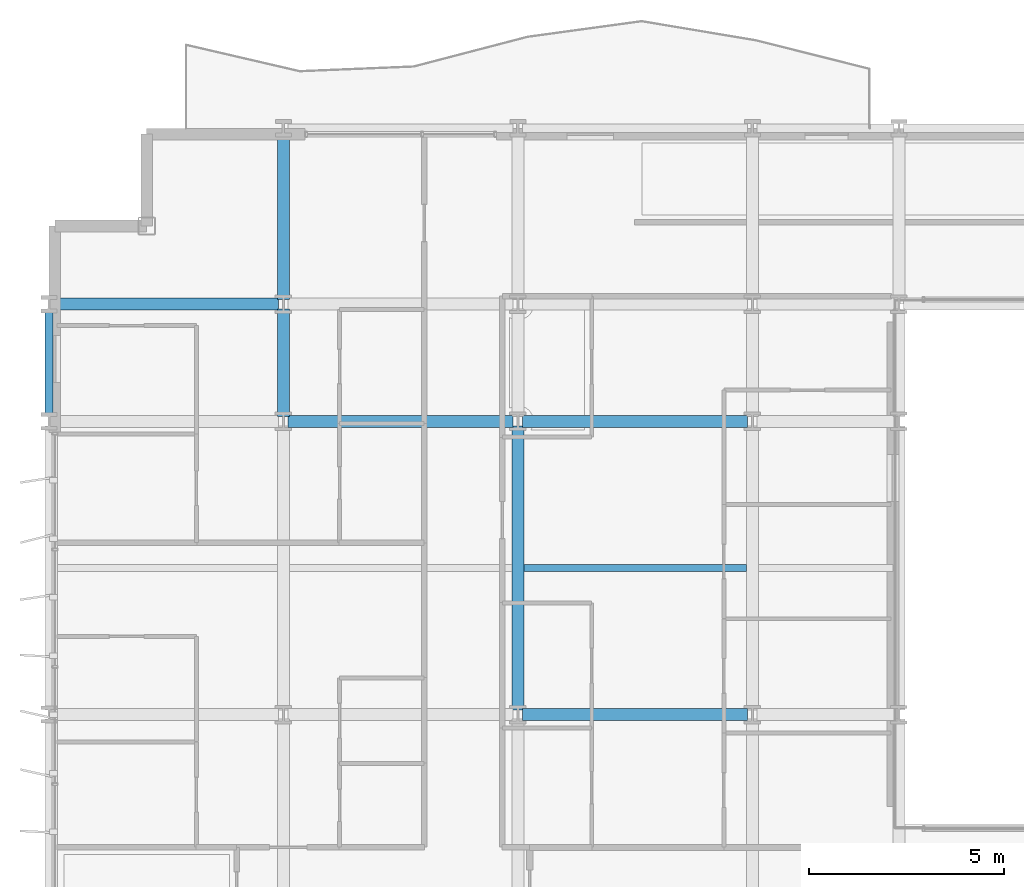
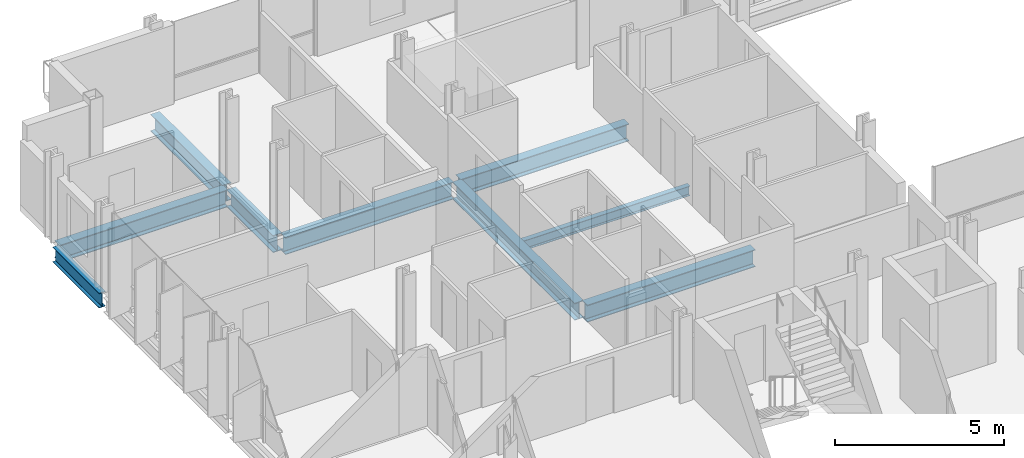
# One storey, part 6 of 38: 9 beams.
"""IFC4 building model written with IfcOpenShell, lengths in metres."""

from ifc_helpers import new_model, si_unit, direction, frame, origin, origin_2d, place, context, subcontext, project, spatial, i_section, extrude, material, material_profile, profile_set, type_object, element, save


model = new_model("IFC4")

# Units and contexts
model_context = context("Model", 3, precision=1e-05, world=origin(), true_north=direction((0.0, 1.0)))
body_context = subcontext(model_context, "Body", "Model", "MODEL_VIEW")
ifc_project = project(units=[si_unit("LENGTHUNIT", "METRE"), si_unit("AREAUNIT", "SQUARE_METRE"), si_unit("VOLUMEUNIT", "CUBIC_METRE"), si_unit("PLANEANGLEUNIT", "RADIAN"), si_unit("MASSUNIT", "GRAM", prefix="KILO")], contexts=[model_context])

# Site, building, storey
site_placement = place(None, origin())
site = spatial("IfcSite", under=ifc_project, at=site_placement, CompositionType="ELEMENT")
building_placement = place(site_placement, origin())
building = spatial("IfcBuilding", under=site, at=building_placement, Name="Brevholm Reach", CompositionType="ELEMENT")
storey_placement = place(building_placement, frame((0.0, 0.0, 59.0)))
storey = spatial("IfcBuildingStorey", under=building, at=storey_placement, Name="L16", CompositionType="ELEMENT", Elevation=59.0)

# Beams
ifc_material_1 = material(Name="Structural Steel S355J2", Category="steel")
ifc_material_profile_1 = material_profile(ifc_material_1, i_section(OverallWidth=0.17138671875, OverallDepth=0.35498046875, WebThickness=0.00732421875, FlangeThickness=0.011474609375, FilletRadius=0.01025390625, at=origin_2d()), Name="UKB 356x171x51")
ifc_profile_set_1 = profile_set([ifc_material_profile_1], Name="Structural Steel S355J2")
beam_type_1 = type_object("IfcBeamType", Name="BM-B356", PredefinedType="BEAM", material=ifc_profile_set_1)
beam_1_placement = place(storey_placement, frame((12.153564453125, 19.75, -0.407470703125), z_axis=(1.0, 0.0, 0.0), x_axis=(0.0, 1.0, 0.0)))
element("IfcBeam", 1, at=beam_1_placement, inside=storey, type_object=beam_type_1, Name="L16 Composite Secondary Floor Beam", PredefinedType="BEAM", context=body_context, shape_type="SweptSolid", body=[
    extrude(i_section(OverallWidth=0.17138671875, OverallDepth=0.35498046875, WebThickness=0.00732421875, FlangeThickness=0.011474609375, FilletRadius=0.01025390625, at=origin_2d()), origin(), (0.0, 0.0, 1.0), 5.69287109375),
])
ifc_material_2 = material(Name="Structural Steel S355J2", Category="steel")
ifc_material_profile_2 = material_profile(ifc_material_2, i_section(OverallWidth=0.210693359375, OverallDepth=0.53955078125, WebThickness=0.01171875, FlangeThickness=0.018798828125, FilletRadius=0.0126953125, at=origin_2d()), Name="UKB 533x210x109")
ifc_profile_set_2 = profile_set([ifc_material_profile_2], Name="Structural Steel S355J2")
beam_type_2 = type_object("IfcBeamType", Name="BM-SP539", PredefinedType="SPANDREL", material=ifc_profile_set_2)
beam_2_placement = place(storey_placement, frame((0.0, 23.6201171875, -0.499755859375), z_axis=(0.0, 1.0, 0.0), x_axis=(-1.0, 0.0, 0.0)))
element("IfcBeam", 2, at=beam_2_placement, inside=storey, type_object=beam_type_2, Name="L16 SP-01B Framing Beam", PredefinedType="SPANDREL", context=body_context, shape_type="SweptSolid", body=[
    extrude(i_section(OverallWidth=0.210693359375, OverallDepth=0.53955078125, WebThickness=0.01171875, FlangeThickness=0.018798828125, FilletRadius=0.0126953125, at=origin_2d()), origin(), (0.0, 0.0, 1.0), 2.759765625),
])
ifc_material_3 = material(Name="Structural Steel S355J2", Category="steel")
ifc_material_profile_3 = material_profile(ifc_material_3, i_section(OverallWidth=0.30712890625, OverallDepth=0.6201171875, WebThickness=0.01416015625, FlangeThickness=0.023681640625, FilletRadius=0.0166015625, at=origin_2d()), Name="UKB 610x305x179")
ifc_profile_set_3 = profile_set([ifc_material_profile_3], Name="Structural Steel S355J2")
beam_type_3 = type_object("IfcBeamType", Name="BM-UKB610H", PredefinedType="USERDEFINED", material=ifc_profile_set_3)
for number, where, z_axis, x_axis, name in (
    (3, (12.1201171875, 16.0, -0.5400390625), (1.0, 0.0, 0.0), (0.0, 1.0, 0.0), "L16 G-06 Framing Beam"),
    (4, (6.1201171875, 23.5, -0.5400390625), (1.0, 0.0, 0.0), (0.0, 1.0, 0.0), "L16 G-06 Framing Beam"),
    (5, (12.1201171875, 23.5, -0.5400390625), (1.0, 0.0, 0.0), (0.0, 1.0, 0.0), "L16 G-06 Framing Beam"),
    (6, (0.1201171875, 26.5, -0.5400390625), (1.0, 0.0, 0.0), (0.0, 1.0, 0.0), "L16 G-06 Framing Beam"),
):
    element("IfcBeam", number, at=place(storey_placement, frame(where, z_axis=z_axis, x_axis=x_axis)), inside=storey, type_object=beam_type_3, Name=name, ObjectType="GIRDER", PredefinedType="USERDEFINED", context=body_context, shape_type="SweptSolid", body=[
        extrude(i_section(OverallWidth=0.30712890625, OverallDepth=0.6201171875, WebThickness=0.01416015625, FlangeThickness=0.023681640625, FilletRadius=0.0166015625, at=origin_2d()), origin(), (0.0, 0.0, 1.0), 5.759765625),
    ])
beam_3_placement = place(storey_placement, frame((6.0, 23.6201171875, -0.5400390625), z_axis=(0.0, 1.0, 0.0), x_axis=(-1.0, 0.0, 0.0)))
element("IfcBeam", 7, at=beam_3_placement, inside=storey, type_object=beam_type_3, Name="L16 G-06 Framing Beam", ObjectType="GIRDER", PredefinedType="USERDEFINED", context=body_context, shape_type="SweptSolid", body=[
    extrude(i_section(OverallWidth=0.30712890625, OverallDepth=0.6201171875, WebThickness=0.01416015625, FlangeThickness=0.023681640625, FilletRadius=0.0166015625, at=origin_2d()), origin(), (0.0, 0.0, 1.0), 2.759765625),
])
beam_4_placement = place(storey_placement, frame((6.0, 26.6201171875, -0.5400390625), z_axis=(0.0, 1.0, 0.0), x_axis=(-1.0, 0.0, 0.0)))
element("IfcBeam", 8, at=beam_4_placement, inside=storey, type_object=beam_type_3, Name="L16 G-06 Framing Beam", ObjectType="GIRDER", PredefinedType="USERDEFINED", context=body_context, shape_type="SweptSolid", body=[
    extrude(i_section(OverallWidth=0.30712890625, OverallDepth=0.6201171875, WebThickness=0.01416015625, FlangeThickness=0.023681640625, FilletRadius=0.0166015625, at=origin_2d()), origin(), (0.0, 0.0, 1.0), 4.259765625),
])
beam_5_placement = place(storey_placement, frame((12.0, 16.1201171875, -0.5400390625), z_axis=(0.0, 1.0, 0.0), x_axis=(-1.0, 0.0, 0.0)))
element("IfcBeam", 9, at=beam_5_placement, inside=storey, type_object=beam_type_3, Name="L16 G-06 Framing Beam", ObjectType="GIRDER", PredefinedType="USERDEFINED", context=body_context, shape_type="SweptSolid", body=[
    extrude(i_section(OverallWidth=0.30712890625, OverallDepth=0.6201171875, WebThickness=0.01416015625, FlangeThickness=0.023681640625, FilletRadius=0.0166015625, at=origin_2d()), origin(), (0.0, 0.0, 1.0), 7.259765625),
])

save(model, "model.ifc")
